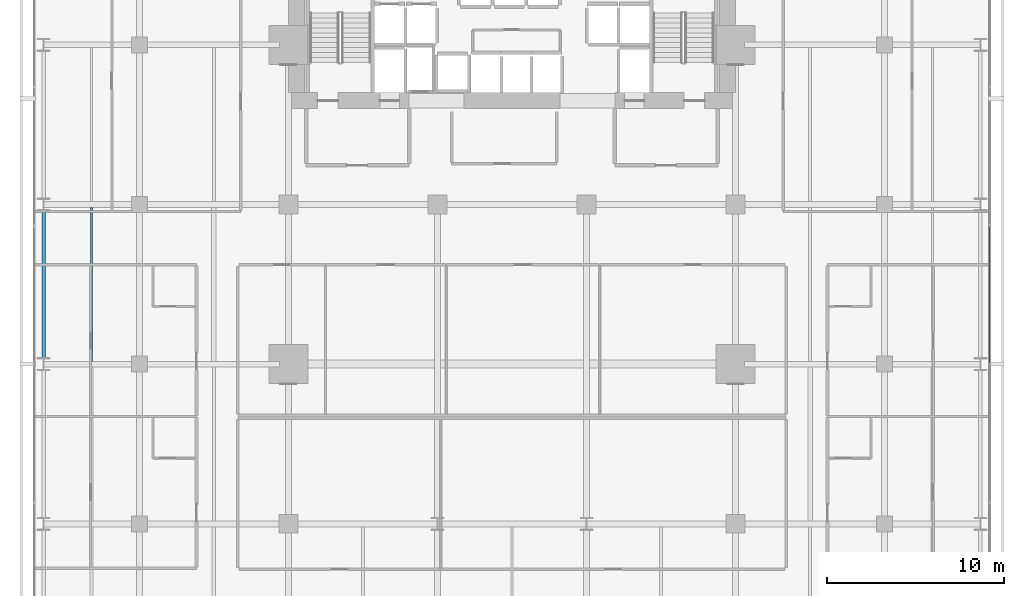
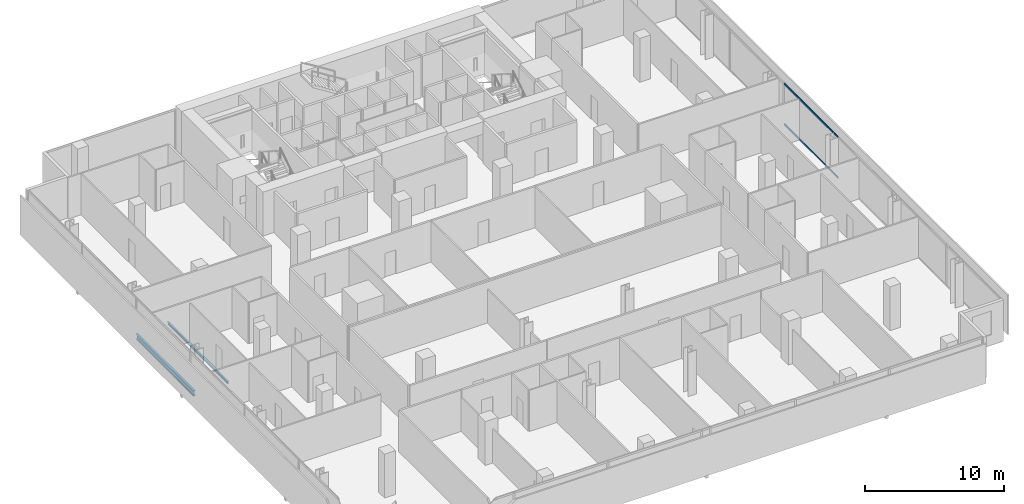
# One storey, part 20 of 39: 2 beams, 2 members, 1 element without a shape of its own.
"""IFC4 building model written with IfcOpenShell, lengths in metres."""

from ifc_helpers import new_model, si_unit, direction, frame, origin, origin_2d, place, context, subcontext, project, spatial, hollow_rectangle, i_section, extrude, material, layer, layer_set, material_profile, profile_set, type_object, element, aggregate, save


model = new_model("IFC4")

# Units and contexts
model_context = context("Model", 3, precision=1e-05, world=origin(), true_north=direction((0.0, 1.0)))
body_context = subcontext(model_context, "Body", "Model", "MODEL_VIEW")
ifc_project = project(units=[si_unit("LENGTHUNIT", "METRE"), si_unit("AREAUNIT", "SQUARE_METRE"), si_unit("VOLUMEUNIT", "CUBIC_METRE"), si_unit("PLANEANGLEUNIT", "RADIAN"), si_unit("MASSUNIT", "GRAM", prefix="KILO")], contexts=[model_context])

# Site, building, storey
site_placement = place(None, origin())
site = spatial("IfcSite", under=ifc_project, at=site_placement, CompositionType="ELEMENT")
building_placement = place(site_placement, origin())
building = spatial("IfcBuilding", under=site, at=building_placement, Name="Maruvema Waterfront Hotel and Observation Tower", CompositionType="ELEMENT")
storey_placement = place(building_placement, frame((0.0, 0.0, 65.449951171875)))
storey = spatial("IfcBuildingStorey", under=building, at=storey_placement, Name="L15", CompositionType="ELEMENT", Elevation=65.449951171875)

# Curtain wall, members
ifc_material_1 = material(Name="Anodised bronze aluminium and solar-control low-E IGU", Category="aluminium")
ifc_layer = layer(ifc_material_1, 0.159912109375, Name="Zone 1 Bronze Inner Thermal Curtain Wall System CW-02")
ifc_layer_set = layer_set([ifc_layer], Name="Anodised bronze aluminium and solar-control low-E IGU")
curtain_wall_type = type_object("IfcCurtainWallType", Name="Zone 1 Bronze Inner Thermal Curtain Wall System CW-02", PredefinedType="USERDEFINED", material=ifc_layer_set)
curtain_wall_placement = place(storey_placement, origin())
curtain_wall = element("IfcCurtainWall", 1, at=curtain_wall_placement, inside=storey, type_object=curtain_wall_type, Name="L15 Curtain Wall CW-L15-E", ObjectType="UNITISED CURTAIN WALL", PredefinedType="USERDEFINED")
ifc_material_2 = material(Name="Anodised architectural bronze aluminium", Category="aluminium")
ifc_material_profile_1 = material_profile(ifc_material_2, hollow_rectangle(XDim=0.070068359375, YDim=0.14990234375, WallThickness=0.00390625, at=origin_2d()), Name="ALU-T70x150")
ifc_profile_set_1 = profile_set([ifc_material_profile_1], Name="Anodised architectural bronze aluminium")
member_type = type_object("IfcMemberType", Name="Curtain Wall Horizontal Transom ALU-T70x150", PredefinedType="USERDEFINED", material=ifc_profile_set_1)
member_1_placement = place(storey_placement, frame((64.719970703125, 27.030029296875, 0.030029296875), z_axis=(0.0, 1.0, 0.0), x_axis=(-1.0, 0.0, 0.0)))
member_1 = element("IfcMember", 2, at=member_1_placement, type_object=member_type, Name="CW-02 transom 4.1", ObjectType="TRANSOM", PredefinedType="USERDEFINED", context=body_context, shape_type="SweptSolid", body=[
    extrude(hollow_rectangle(XDim=0.070068359375, YDim=0.14990234375, WallThickness=0.00390625, at=origin_2d()), origin(), (0.0, 0.0, 1.0), 7.739990234375),
])
member_2_placement = place(storey_placement, frame((64.719970703125, 27.030029296875, 3.580078125), z_axis=(0.0, 1.0, 0.0), x_axis=(-1.0, 0.0, 0.0)))
member_2 = element("IfcMember", 3, at=member_2_placement, type_object=member_type, Name="CW-02 transom 4.2", ObjectType="TRANSOM", PredefinedType="USERDEFINED", context=body_context, shape_type="SweptSolid", body=[
    extrude(hollow_rectangle(XDim=0.070068359375, YDim=0.14990234375, WallThickness=0.00390625, at=origin_2d()), origin(), (0.0, 0.0, 1.0), 7.739990234375),
])
aggregate(curtain_wall, [member_1, member_2])

# Beams
ifc_material_3 = material(Name="Steel ASTM A572 Grade 50", Category="steel")
ifc_material_profile_2 = material_profile(ifc_material_3, i_section(OverallWidth=0.18994140625, OverallDepth=0.45703125, WebThickness=0.009033203125, FlangeThickness=0.014404296875, FilletRadius=0.014892578125, at=origin_2d()), Name="W460x74.0")
ifc_profile_set_2 = profile_set([ifc_material_profile_2], Name="Steel ASTM A572 Grade 50")
beam_type_1 = type_object("IfcBeamType", Name="Perimeter Spandrel Beam W460x74.0", PredefinedType="SPANDREL", material=ifc_profile_set_2)
beam_1_placement = place(storey_placement, frame((11.39990234375, 27.35009765625, -0.468505859375), z_axis=(0.0, 1.0, 0.0), x_axis=(-1.0, 0.0, 0.0)))
element("IfcBeam", 4, at=beam_1_placement, inside=storey, type_object=beam_type_1, Name="L15 Floor Girder NS-03", PredefinedType="SPANDREL", context=body_context, shape_type="SweptSolid", body=[
    extrude(i_section(OverallWidth=0.18994140625, OverallDepth=0.45703125, WebThickness=0.009033203125, FlangeThickness=0.014404296875, FilletRadius=0.014892578125, at=origin_2d()), origin(), (0.0, 0.0, 1.0), 8.2998046875),
])
ifc_material_4 = material(Name="Steel ASTM A572 Grade 50", Category="steel")
ifc_material_profile_3 = material_profile(ifc_material_4, i_section(OverallWidth=0.133056640625, OverallDepth=0.20703125, WebThickness=0.005859375, FlangeThickness=0.00830078125, FilletRadius=0.010009765625, at=origin_2d()), Name="W200x26.6")
ifc_profile_set_3 = profile_set([ifc_material_profile_3], Name="Steel ASTM A572 Grade 50")
beam_type_2 = type_object("IfcBeamType", Name="Secondary Floor Joist W200x26.6", PredefinedType="JOIST", material=ifc_profile_set_3)
beam_2_placement = place(storey_placement, frame((14.10009765625, 27.16357421875, -0.343505859375), z_axis=(0.0, 1.0, 0.0), x_axis=(-1.0, 0.0, 0.0)))
element("IfcBeam", 5, at=beam_2_placement, inside=storey, type_object=beam_type_2, Name="L15 Secondary Floor Joist JS-03", PredefinedType="JOIST", context=body_context, shape_type="SweptSolid", body=[
    extrude(i_section(OverallWidth=0.133056640625, OverallDepth=0.20703125, WebThickness=0.005859375, FlangeThickness=0.00830078125, FilletRadius=0.010009765625, at=origin_2d()), origin(), (0.0, 0.0, 1.0), 8.6728515625),
])

save(model, "model.ifc")
